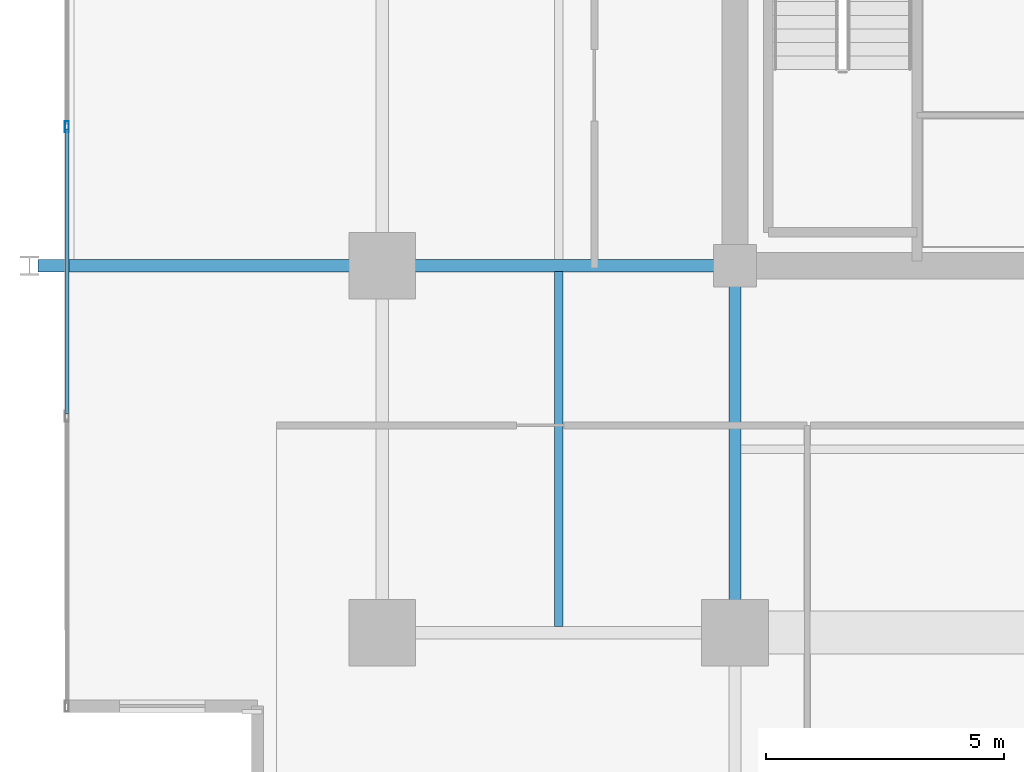
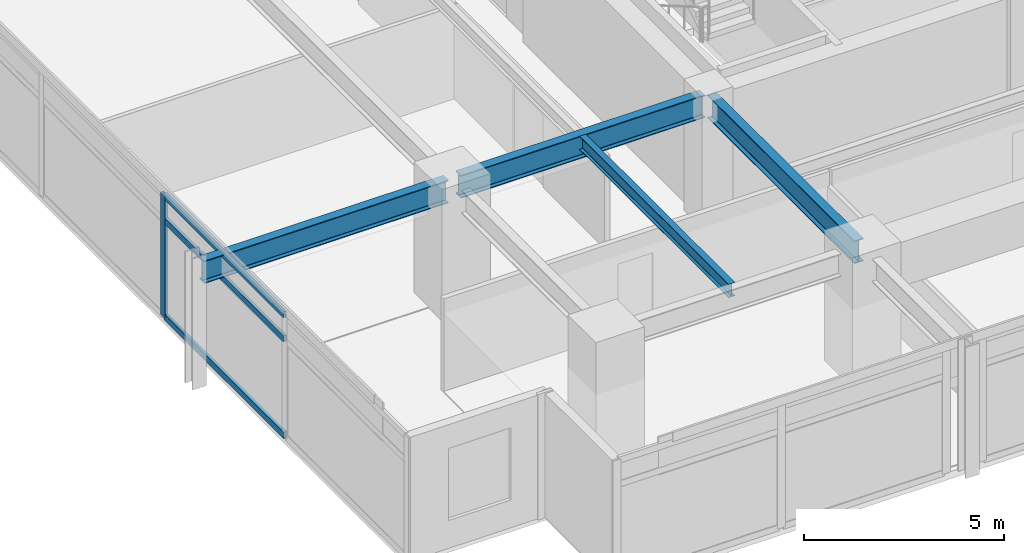
# One storey, part 3 of 21: 4 beams, 4 members, 1 element without a shape of its own.
"""IFC4 building model written with IfcOpenShell, lengths in metres."""

from ifc_helpers import new_model, si_unit, direction, frame, origin, origin_2d, place, context, subcontext, project, spatial, hollow_rectangle, i_section, extrude, material, material_profile, profile_set, type_object, element, aggregate, save


model = new_model("IFC4")

# Units and contexts
model_context = context("Model", 3, precision=1e-05, world=origin(), true_north=direction((0.0, 1.0)))
body_context = subcontext(model_context, "Body", "Model", "MODEL_VIEW")
ifc_project = project(units=[si_unit("LENGTHUNIT", "METRE"), si_unit("AREAUNIT", "SQUARE_METRE"), si_unit("VOLUMEUNIT", "CUBIC_METRE"), si_unit("PLANEANGLEUNIT", "RADIAN"), si_unit("MASSUNIT", "GRAM", prefix="KILO")], contexts=[model_context])

# Site, building, storey
site_placement = place(None, origin())
site = spatial("IfcSite", under=ifc_project, at=site_placement, CompositionType="ELEMENT")
building_placement = place(site_placement, origin())
building = spatial("IfcBuilding", under=site, at=building_placement, Name="Kovane Verandah Tower", CompositionType="ELEMENT")
storey_placement = place(building_placement, frame((0.0, 0.0, 209.199951171875)))
storey = spatial("IfcBuildingStorey", under=building, at=storey_placement, Name="L48", CompositionType="ELEMENT", Elevation=209.199951171875)

# Beams
ifc_material_1 = material(Name="Steel S355", Category="steel")
ifc_material_profile_1 = material_profile(ifc_material_1, i_section(OverallWidth=0.255859375, OverallDepth=0.69287109375, WebThickness=0.014404296875, FlangeThickness=0.023681640625, FilletRadius=0.01513671875, at=origin_2d()), Name="UB686x254x170")
ifc_profile_set_1 = profile_set([ifc_material_profile_1], Name="Steel S355")
beam_type_1 = type_object("IfcBeamType", Name="BM-UB686x170", PredefinedType="BEAM", material=ifc_profile_set_1)
beam_1_placement = place(storey_placement, frame((28.820068359375, 18.5, 3.428466796875), z_axis=(-1.0, 0.0, 0.0), x_axis=(0.0, -1.0, 0.0)))
element("IfcBeam", 1, at=beam_1_placement, inside=storey, type_object=beam_type_1, Name="L48 Primary Tower Girder G-W1", PredefinedType="BEAM", context=body_context, shape_type="SweptSolid", body=[
    extrude(i_section(OverallWidth=0.255859375, OverallDepth=0.69287109375, WebThickness=0.014404296875, FlangeThickness=0.023681640625, FilletRadius=0.01513671875, at=origin_2d()), origin(), (0.0, 0.0, 1.0), 7.0400390625),
])
beam_2_placement = place(storey_placement, frame((29.0, 18.320068359375, 3.428466796875), z_axis=(0.0, -1.0, 0.0), x_axis=(1.0, 0.0, 0.0)))
element("IfcBeam", 2, at=beam_2_placement, inside=storey, type_object=beam_type_1, Name="L48 Primary Tower Girder G-S1", PredefinedType="BEAM", context=body_context, shape_type="SweptSolid", body=[
    extrude(i_section(OverallWidth=0.255859375, OverallDepth=0.69287109375, WebThickness=0.014404296875, FlangeThickness=0.023681640625, FilletRadius=0.01513671875, at=origin_2d()), origin(), (0.0, 0.0, 1.0), 7.340087890625),
])
beam_3_placement = place(storey_placement, frame((21.419921875, 18.5, 3.41357421875), z_axis=(-1.0, 0.0, 0.0), x_axis=(0.0, -1.0, 0.0)))
element("IfcBeam", 3, at=beam_3_placement, inside=storey, type_object=beam_type_1, Name="L48 Primary Tower Girder G-VW1", PredefinedType="BEAM", context=body_context, shape_type="SweptSolid", body=[
    extrude(i_section(OverallWidth=0.255859375, OverallDepth=0.69287109375, WebThickness=0.014404296875, FlangeThickness=0.023681640625, FilletRadius=0.01513671875, at=origin_2d()), origin(), (0.0, 0.0, 1.0), 7.0400390625),
])

# Curtain wall, members
ifc_material_2 = material(Name="Champagne Anodised Aluminium Frame with Low-E Clear Laminated Glass", Category="aluminium")
curtain_wall_type = type_object("IfcCurtainWallType", Name="CW-SYS-03-MID", PredefinedType="NOTDEFINED", material=ifc_material_2)
curtain_wall_placement = place(storey_placement, origin())
curtain_wall = element("IfcCurtainWall", 4, at=curtain_wall_placement, inside=storey, type_object=curtain_wall_type, Name="L48 W Unitised Curtain Wall", PredefinedType="NOTDEFINED")
ifc_material_3 = material(Name="Champagne Anodised Aluminium 6063-T6", Category="aluminium")
ifc_material_profile_2 = material_profile(ifc_material_3, hollow_rectangle(XDim=0.0849609375, YDim=0.22998046875, WallThickness=0.00390625, at=origin_2d()), Name="AL85x230x4")
ifc_profile_set_2 = profile_set([ifc_material_profile_2], Name="Champagne Anodised Aluminium 6063-T6")
member_type_1 = type_object("IfcMemberType", Name="CW-MUL-85x230", PredefinedType="MULLION", material=ifc_profile_set_2)
member_1_placement = place(storey_placement, frame((14.982177734375, 21.41943359375, 0.02001953125), z_axis=(0.0, 0.0, 1.0), x_axis=(-1.0, 0.0, 0.0)))
member_1 = element("IfcMember", 5, at=member_1_placement, type_object=member_type_1, Name="L48 W Unitised Curtain Wall Mullion 5", PredefinedType="MULLION", context=body_context, shape_type="SweptSolid", body=[
    extrude(hollow_rectangle(XDim=0.0849609375, YDim=0.22998046875, WallThickness=0.00390625, at=origin_2d()), origin(), (0.0, 0.0, 1.0), 3.735107421875),
])
ifc_material_profile_3 = material_profile(ifc_material_3, hollow_rectangle(XDim=0.0849609375, YDim=0.18994140625, WallThickness=0.00390625, at=origin_2d()), Name="AL85x190x4")
ifc_profile_set_3 = profile_set([ifc_material_profile_3], Name="Champagne Anodised Aluminium 6063-T6")
member_type_2 = type_object("IfcMemberType", Name="CW-TRN-85x190", PredefinedType="USERDEFINED", material=ifc_profile_set_3)
member_2_placement = place(storey_placement, frame((14.982177734375, 21.369384765625, 0.050048828125), z_axis=(0.0, -1.0, 0.0), x_axis=(1.0, 0.0, 0.0)))
member_2 = element("IfcMember", 6, at=member_2_placement, type_object=member_type_2, Name="L48 W Unitised Curtain Wall Transom TB Bay 5", ObjectType="TRANSOM", PredefinedType="USERDEFINED", context=body_context, shape_type="SweptSolid", body=[
    extrude(hollow_rectangle(XDim=0.0849609375, YDim=0.18994140625, WallThickness=0.00390625, at=origin_2d()), origin(), (0.0, 0.0, 1.0), 5.98046875),
])
member_3_placement = place(storey_placement, frame((14.982177734375, 21.369384765625, 2.9951171875), z_axis=(0.0, -1.0, 0.0), x_axis=(1.0, 0.0, 0.0)))
member_3 = element("IfcMember", 7, at=member_3_placement, type_object=member_type_2, Name="L48 W Unitised Curtain Wall Transom TM Bay 5", ObjectType="TRANSOM", PredefinedType="USERDEFINED", context=body_context, shape_type="SweptSolid", body=[
    extrude(hollow_rectangle(XDim=0.0849609375, YDim=0.18994140625, WallThickness=0.00390625, at=origin_2d()), origin(), (0.0, 0.0, 1.0), 5.98046875),
])
member_4_placement = place(storey_placement, frame((14.982177734375, 21.369384765625, 3.72509765625), z_axis=(0.0, -1.0, 0.0), x_axis=(1.0, 0.0, 0.0)))
member_4 = element("IfcMember", 8, at=member_4_placement, type_object=member_type_2, Name="L48 W Unitised Curtain Wall Transom TT Bay 5", ObjectType="TRANSOM", PredefinedType="USERDEFINED", context=body_context, shape_type="SweptSolid", body=[
    extrude(hollow_rectangle(XDim=0.0849609375, YDim=0.18994140625, WallThickness=0.00390625, at=origin_2d()), origin(), (0.0, 0.0, 1.0), 5.98046875),
])
aggregate(curtain_wall, [member_1, member_2, member_3, member_4])

# Beam
ifc_material_profile_4 = material_profile(ifc_material_1, i_section(OverallWidth=0.179443359375, OverallDepth=0.412841796875, WebThickness=0.009521484375, FlangeThickness=0.01611328125, FilletRadius=0.01025390625, at=origin_2d()), Name="UB406x178x74")
ifc_profile_set_4 = profile_set([ifc_material_profile_4], Name="Steel S355")
beam_type_2 = type_object("IfcBeamType", Name="JST-UB406x74", PredefinedType="JOIST", material=ifc_profile_set_4)
beam_4_placement = place(storey_placement, frame((25.300048828125, 10.92578125, 3.568603515625), z_axis=(0.0, 1.0, 0.0), x_axis=(-1.0, 0.0, 0.0)))
element("IfcBeam", 9, at=beam_4_placement, inside=storey, type_object=beam_type_2, Name="L48 Secondary Composite Joist J-SW1", PredefinedType="JOIST", context=body_context, shape_type="SweptSolid", body=[
    extrude(i_section(OverallWidth=0.179443359375, OverallDepth=0.412841796875, WebThickness=0.009521484375, FlangeThickness=0.01611328125, FilletRadius=0.01025390625, at=origin_2d()), origin(), (0.0, 0.0, 1.0), 7.4482421875),
])

save(model, "model.ifc")
